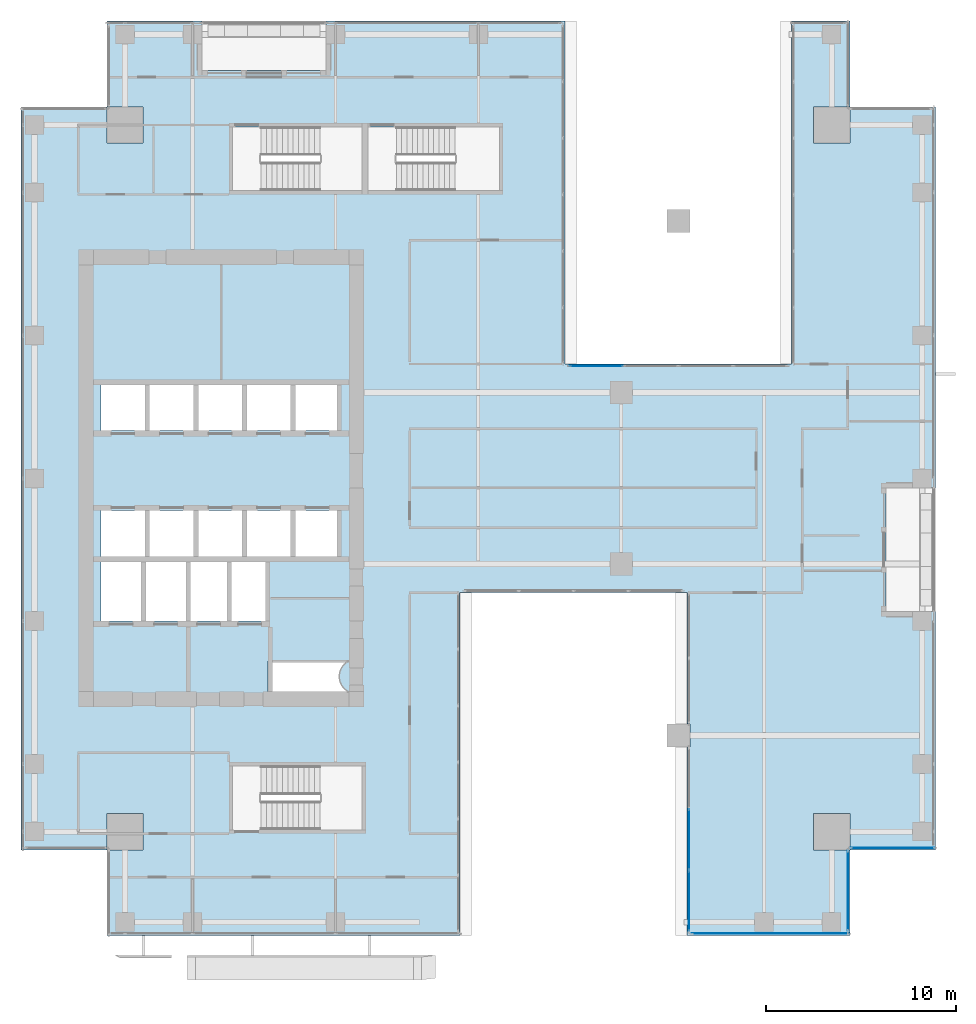
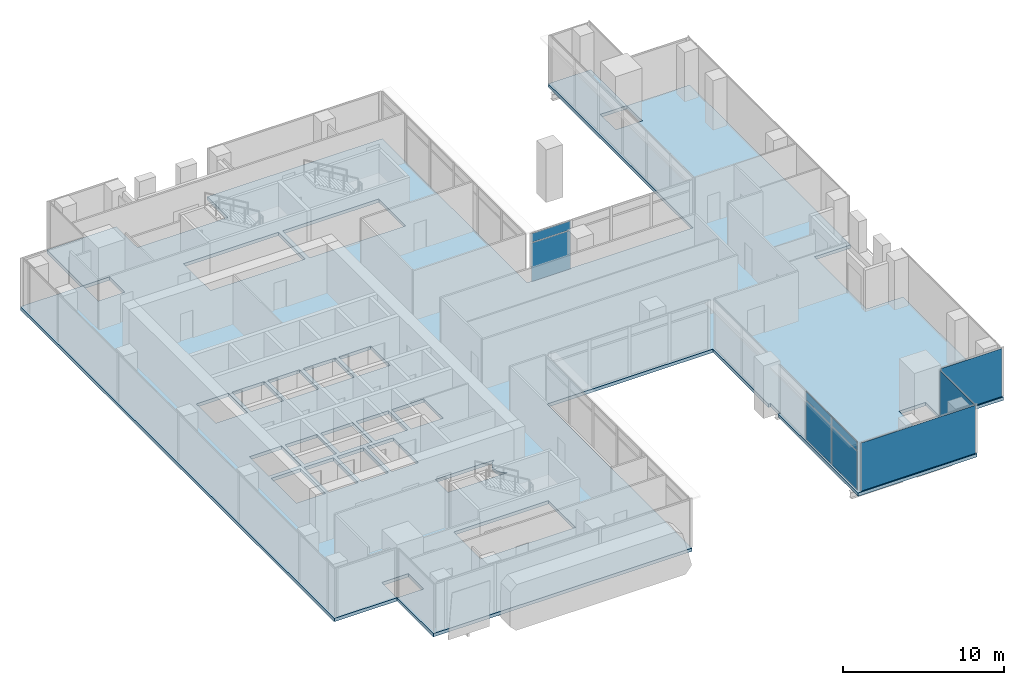
# One storey, part 28 of 37: 9 plates, 1 slab, 5 elements without a shape of their own.
"""IFC4 building model written with IfcOpenShell, lengths in metres."""

from ifc_helpers import new_model, si_unit, direction, frame, origin, origin_2d, place, context, subcontext, project, spatial, polyline, rectangle, outline, extrude, source, transform, mapped, material, layer, layer_set, type_object, element, aggregate, save


model = new_model("IFC4")

# Units and contexts
model_context = context("Model", 3, precision=1e-05, world=origin(), true_north=direction((0.0, 1.0)))
body_context = subcontext(model_context, "Body", "Model", "MODEL_VIEW")
ifc_project = project(units=[si_unit("LENGTHUNIT", "METRE"), si_unit("AREAUNIT", "SQUARE_METRE"), si_unit("VOLUMEUNIT", "CUBIC_METRE"), si_unit("PLANEANGLEUNIT", "RADIAN"), si_unit("MASSUNIT", "GRAM", prefix="KILO")], contexts=[model_context])

# Site, building, storey
site_placement = place(None, origin())
site = spatial("IfcSite", under=ifc_project, at=site_placement, CompositionType="ELEMENT")
building_placement = place(site_placement, origin())
building = spatial("IfcBuilding", under=site, at=building_placement, Name="Khomas Fold Tower", CompositionType="ELEMENT")
storey_placement = place(building_placement, frame((0.0, 0.0, 168.699951171875)))
storey = spatial("IfcBuildingStorey", under=building, at=storey_placement, Name="L36", CompositionType="ELEMENT", Elevation=168.699951171875)

# Slab
ifc_material_1 = material(Name="Concrete C40/50", Category="concrete")
ifc_layer_1 = layer(ifc_material_1, 0.25)
ifc_layer_set_1 = layer_set([ifc_layer_1], Name="Concrete C40/50")
slab_type = type_object("IfcSlabType", Name="RC floor slab 250", PredefinedType="FLOOR", material=ifc_layer_set_1)
shared_shape_1 = source(origin(), body_context, "Body", "SweptSolid", [
    extrude(outline(polyline([(3.0, 7.5), (7.4951171875, 7.5), (7.4951171875, 9.405029296875), (9.405029296875, 9.405029296875), (9.405029296875, 7.4951171875), (7.5, 7.4951171875), (7.5, 3.0), (26.050048828125, 3.0), (26.050048828125, 21.0), (37.949951171875, 21.0), (37.949951171875, 14.10498046875), (38.10498046875, 14.10498046875), (38.10498046875, 12.89501953125), (37.949951171875, 12.89501953125), (37.949951171875, 3.0), (46.5, 3.0), (46.5, 7.4951171875), (44.594970703125, 7.4951171875), (44.594970703125, 9.405029296875), (46.5048828125, 9.405029296875), (46.5048828125, 7.5), (51.0, 7.5), (51.0, 20.0), (48.39990234375, 20.0), (48.39990234375, 26.5), (51.0, 26.5), (51.0, 46.5), (46.5048828125, 46.5), (46.5048828125, 44.594970703125), (44.594970703125, 44.594970703125), (44.594970703125, 46.5048828125), (46.5, 46.5048828125), (46.5, 51.0), (43.449951171875, 51.0), (43.449951171875, 33.0), (31.550048828125, 33.0), (31.550048828125, 51.0), (19.0, 51.0), (19.0, 48.39990234375), (12.5, 48.39990234375), (12.5, 51.0), (7.5, 51.0), (7.5, 46.5048828125), (9.405029296875, 46.5048828125), (9.405029296875, 44.594970703125), (7.4951171875, 44.594970703125), (7.4951171875, 46.5), (3.0, 46.5), (3.0, 7.5)]), holes=[polyline([(7.199951171875, 19.5), (7.199951171875, 22.60009765625), (9.300048828125, 22.60009765625), (9.300048828125, 19.5), (7.199951171875, 19.5)]), polyline([(7.199951171875, 22.89990234375), (7.199951171875, 25.300048828125), (9.5, 25.300048828125), (9.5, 22.89990234375), (7.199951171875, 22.89990234375)]), polyline([(7.199951171875, 29.5), (7.199951171875, 31.89990234375), (9.5, 31.89990234375), (9.5, 29.5), (7.199951171875, 29.5)]), polyline([(9.550048828125, 19.5), (9.550048828125, 22.60009765625), (11.64990234375, 22.60009765625), (11.64990234375, 19.5), (9.550048828125, 19.5)]), polyline([(9.75, 22.89990234375), (9.75, 25.300048828125), (12.050048828125, 25.300048828125), (12.050048828125, 22.89990234375), (9.75, 22.89990234375)]), polyline([(9.75, 29.5), (9.75, 31.89990234375), (12.050048828125, 31.89990234375), (12.050048828125, 29.5), (9.75, 29.5)]), polyline([(11.89990234375, 19.5), (11.89990234375, 22.60009765625), (13.800048828125, 22.60009765625), (13.800048828125, 19.5), (11.89990234375, 19.5)]), polyline([(12.300048828125, 22.89990234375), (12.300048828125, 25.300048828125), (14.60009765625, 25.300048828125), (14.60009765625, 22.89990234375), (12.300048828125, 22.89990234375)]), polyline([(12.300048828125, 29.5), (12.300048828125, 31.89990234375), (14.60009765625, 31.89990234375), (14.60009765625, 29.5), (12.300048828125, 29.5)]), polyline([(14.050048828125, 19.5), (14.050048828125, 22.60009765625), (15.949951171875, 22.60009765625), (15.949951171875, 19.5), (14.050048828125, 19.5)]), polyline([(14.10009765625, 8.550048828125), (14.10009765625, 11.89990234375), (20.89990234375, 11.89990234375), (20.89990234375, 8.550048828125), (14.10009765625, 8.550048828125)]), polyline([(14.10009765625, 42.10009765625), (14.10009765625, 45.449951171875), (20.89990234375, 45.449951171875), (20.89990234375, 42.10009765625), (14.10009765625, 42.10009765625)]), polyline([(14.85009765625, 22.89990234375), (14.85009765625, 25.300048828125), (17.14990234375, 25.300048828125), (17.14990234375, 22.89990234375), (14.85009765625, 22.89990234375)]), polyline([(14.85009765625, 29.5), (14.85009765625, 31.89990234375), (17.14990234375, 31.89990234375), (17.14990234375, 29.5), (14.85009765625, 29.5)]), polyline([(15.949951171875, 15.800048828125), (15.949951171875, 17.39990234375), (20.18896484375, 17.39990234375), (20.17578125, 17.393798828125), (20.10009765625, 17.348388671875), (20.029052734375, 17.295654296875), (19.963623046875, 17.236328125), (19.904296875, 17.1708984375), (19.851806640625, 17.10009765625), (19.806396484375, 17.0244140625), (19.7685546875, 16.9443359375), (19.73876953125, 16.861328125), (19.71728515625, 16.775634765625), (19.704345703125, 16.688232421875), (19.699951171875, 16.60009765625), (19.704345703125, 16.51171875), (19.71728515625, 16.42431640625), (19.73876953125, 16.338623046875), (19.7685546875, 16.255615234375), (19.806396484375, 16.17578125), (19.851806640625, 16.10009765625), (19.904296875, 16.029052734375), (19.963623046875, 15.963623046875), (20.029052734375, 15.904296875), (20.10009765625, 15.851806640625), (20.17578125, 15.806396484375), (20.18896484375, 15.800048828125), (15.949951171875, 15.800048828125)]), polyline([(17.39990234375, 22.89990234375), (17.39990234375, 25.300048828125), (19.699951171875, 25.300048828125), (19.699951171875, 22.89990234375), (17.39990234375, 22.89990234375)]), polyline([(17.39990234375, 29.5), (17.39990234375, 31.89990234375), (19.699951171875, 31.89990234375), (19.699951171875, 29.5), (17.39990234375, 29.5)]), polyline([(21.199951171875, 42.10009765625), (21.199951171875, 45.449951171875), (28.10009765625, 45.449951171875), (28.10009765625, 42.10009765625), (21.199951171875, 42.10009765625)])]), origin(), (0.0, 0.0, 1.0), 0.25),
])
slab_placement = place(storey_placement, frame((0.0, 0.0, -0.25)))
element("IfcSlab", 1, at=slab_placement, inside=storey, type_object=slab_type, Name="S-L36", PredefinedType="FLOOR", context=body_context, shape_type="MappedRepresentation", body=[
    mapped(shared_shape_1, transform((0.0, 0.0, 0.0))),
])

# Curtain wall, plate
ifc_material_2 = material(Name="Aluminium framed double glazing", Category="aluminium")
curtain_wall_type_1 = type_object("IfcCurtainWallType", Name="SK-Unitised clear-glass wall, office floors CW2", PredefinedType="NOTDEFINED", material=ifc_material_2)
curtain_wall_1_placement = place(storey_placement, origin())
curtain_wall_1 = element("IfcCurtainWall", 2, at=curtain_wall_1_placement, inside=storey, type_object=curtain_wall_type_1, Name="CW2 corner return L36 07", PredefinedType="NOTDEFINED")
ifc_material_3 = material(Name="Clear double glazed unit")
ifc_layer_2 = layer(ifc_material_3, 0.030029296875)
ifc_layer_set_2 = layer_set([ifc_layer_2], Name="Clear double glazed unit")
plate_type_1 = type_object("IfcPlateType", Name="SK-Unitised clear-glass wall, office floors glass panel CW2-P", PredefinedType="CURTAIN_PANEL", material=ifc_layer_set_2)
shared_shape_2 = source(origin(), body_context, "Body", "SweptSolid", [
    extrude(rectangle(XDim=4.3798828125, YDim=0.030029296875, at=origin_2d()), origin(), (0.0, 0.0, 1.0), 3.639892578125),
])
plate_1_placement = place(storey_placement, frame((48.75, 7.60009765625, 0.0), z_axis=(0.0, 0.0, 1.0), x_axis=(1.0, 0.0, 0.0)))
plate_1 = element("IfcPlate", 3, at=plate_1_placement, type_object=plate_type_1, Name="CW2 glass panel 1", PredefinedType="CURTAIN_PANEL", context=body_context, shape_type="MappedRepresentation", body=[
    mapped(shared_shape_2, transform((0.0, 0.0, 0.0))),
])
aggregate(curtain_wall_1, [plate_1])

curtain_wall_2_placement = place(storey_placement, origin())
curtain_wall_2 = element("IfcCurtainWall", 4, at=curtain_wall_2_placement, inside=storey, type_object=curtain_wall_type_1, Name="CW2 corner return L36 06", PredefinedType="NOTDEFINED")
shared_shape_3 = source(origin(), body_context, "Body", "SweptSolid", [
    extrude(rectangle(XDim=4.179931640625, YDim=0.030029296875, at=origin_2d()), origin(), (0.0, 0.0, 1.0), 3.639892578125),
])
plate_2_placement = place(storey_placement, frame((46.39990234375, 5.35009765625, 0.0), z_axis=(0.0, 0.0, 1.0), x_axis=(0.0, 1.0, 0.0)))
plate_2 = element("IfcPlate", 5, at=plate_2_placement, type_object=plate_type_1, Name="CW2 glass panel 1", PredefinedType="CURTAIN_PANEL", context=body_context, shape_type="MappedRepresentation", body=[
    mapped(shared_shape_3, transform((0.0, 0.0, 0.0))),
])
aggregate(curtain_wall_2, [plate_2])

curtain_wall_3_placement = place(storey_placement, origin())
curtain_wall_3 = element("IfcCurtainWall", 6, at=curtain_wall_3_placement, inside=storey, type_object=curtain_wall_type_1, Name="CW2 run L36 05-0", PredefinedType="NOTDEFINED")
shared_shape_4 = source(origin(), body_context, "Body", "SweptSolid", [
    extrude(rectangle(XDim=8.22998046875, YDim=0.030029296875, at=origin_2d()), origin(), (0.0, 0.0, 1.0), 3.639892578125),
])
plate_3_placement = place(storey_placement, frame((42.324951171875, 3.10009765625, 0.0), z_axis=(0.0, 0.0, 1.0), x_axis=(1.0, 0.0, 0.0)))
plate_3 = element("IfcPlate", 7, at=plate_3_placement, type_object=plate_type_1, Name="CW2 glass panel 1", PredefinedType="CURTAIN_PANEL", context=body_context, shape_type="MappedRepresentation", body=[
    mapped(shared_shape_4, transform((0.0, 0.0, 0.0))),
])
aggregate(curtain_wall_3, [plate_3])

# Curtain wall, plates
ifc_material_4 = material(Name="Aluminium framed double glazing", Category="aluminium")
curtain_wall_type_2 = type_object("IfcCurtainWallType", Name="Notch glazing GN-CW", PredefinedType="NOTDEFINED", material=ifc_material_4)
curtain_wall_4_placement = place(storey_placement, origin())
curtain_wall_4 = element("IfcCurtainWall", 8, at=curtain_wall_4_placement, inside=storey, type_object=curtain_wall_type_2, Name="Notch glazing run", PredefinedType="NOTDEFINED")
ifc_material_5 = material(Name="Double glazed unit")
ifc_layer_3 = layer(ifc_material_5, 0.031982421875)
ifc_layer_set_3 = layer_set([ifc_layer_3], Name="Double glazed unit")
plate_type_2 = type_object("IfcPlateType", Name="Notch glazing panel GN-CW-P", PredefinedType="CURTAIN_PANEL", material=ifc_layer_set_3)
shared_shape_5 = source(origin(), body_context, "Body", "SweptSolid", [
    extrude(rectangle(XDim=2.784912109375, YDim=0.031982421875, at=origin_2d()), origin(), (0.0, 0.0, 1.0), 2.909912109375),
])
plate_4_placement = place(storey_placement, frame((33.202392578125, 32.89990234375, 0.06005859375), z_axis=(0.0, 0.0, 1.0), x_axis=(-1.0, 0.0, 0.0)))
plate_4 = element("IfcPlate", 9, at=plate_4_placement, type_object=plate_type_2, Name="GN-CW panel 4.1", PredefinedType="CURTAIN_PANEL", context=body_context, shape_type="MappedRepresentation", body=[
    mapped(shared_shape_5, transform((0.0, 0.0, 0.0))),
])
shared_shape_6 = source(origin(), body_context, "Body", "SweptSolid", [
    extrude(rectangle(XDim=2.784912109375, YDim=0.031982421875, at=origin_2d()), origin(), (0.0, 0.0, 1.0), 0.659912109375),
])
plate_5_placement = place(storey_placement, frame((33.202392578125, 32.89990234375, 3.0302734375), z_axis=(0.0, 0.0, 1.0), x_axis=(-1.0, 0.0, 0.0)))
plate_5 = element("IfcPlate", 10, at=plate_5_placement, type_object=plate_type_2, Name="GN-CW panel 4.2", PredefinedType="CURTAIN_PANEL", context=body_context, shape_type="MappedRepresentation", body=[
    mapped(shared_shape_6, transform((0.0, 0.0, 0.0))),
])
aggregate(curtain_wall_4, [plate_4, plate_5])

curtain_wall_5_placement = place(storey_placement, origin())
curtain_wall_5 = element("IfcCurtainWall", 11, at=curtain_wall_5_placement, inside=storey, type_object=curtain_wall_type_2, Name="Notch glazing run", PredefinedType="NOTDEFINED")
shared_shape_7 = source(origin(), body_context, "Body", "SweptSolid", [
    extrude(rectangle(XDim=3.13671875, YDim=0.031982421875, at=origin_2d()), origin(), (0.0, 0.0, 1.0), 2.909912109375),
])
plate_6_placement = place(storey_placement, frame((38.050048828125, 4.828369140625, 0.06005859375), z_axis=(0.0, 0.0, 1.0), x_axis=(0.0, -1.0, 0.0)))
plate_6 = element("IfcPlate", 12, at=plate_6_placement, type_object=plate_type_2, Name="GN-CW panel 3.1", PredefinedType="CURTAIN_PANEL", context=body_context, shape_type="MappedRepresentation", body=[
    mapped(shared_shape_7, transform((0.0, 0.0, 0.0))),
])
shared_shape_8 = source(origin(), body_context, "Body", "SweptSolid", [
    extrude(rectangle(XDim=3.13671875, YDim=0.031982421875, at=origin_2d()), origin(), (0.0, 0.0, 1.0), 0.659912109375),
])
plate_7_placement = place(storey_placement, frame((38.050048828125, 4.828369140625, 3.0302734375), z_axis=(0.0, 0.0, 1.0), x_axis=(0.0, -1.0, 0.0)))
plate_7 = element("IfcPlate", 13, at=plate_7_placement, type_object=plate_type_2, Name="GN-CW panel 3.2", PredefinedType="CURTAIN_PANEL", context=body_context, shape_type="MappedRepresentation", body=[
    mapped(shared_shape_8, transform((0.0, 0.0, 0.0))),
])
shared_shape_9 = source(origin(), body_context, "Body", "SweptSolid", [
    extrude(rectangle(XDim=3.166748046875, YDim=0.031982421875, at=origin_2d()), origin(), (0.0, 0.0, 1.0), 2.909912109375),
])
plate_8_placement = place(storey_placement, frame((38.050048828125, 8.0400390625, 0.06005859375), z_axis=(0.0, 0.0, 1.0), x_axis=(0.0, -1.0, 0.0)))
plate_8 = element("IfcPlate", 14, at=plate_8_placement, type_object=plate_type_2, Name="GN-CW panel 2.1", PredefinedType="CURTAIN_PANEL", context=body_context, shape_type="MappedRepresentation", body=[
    mapped(shared_shape_9, transform((0.0, 0.0, 0.0))),
])
shared_shape_10 = source(origin(), body_context, "Body", "SweptSolid", [
    extrude(rectangle(XDim=3.166748046875, YDim=0.031982421875, at=origin_2d()), origin(), (0.0, 0.0, 1.0), 0.659912109375),
])
plate_9_placement = place(storey_placement, frame((38.050048828125, 8.0400390625, 3.0302734375), z_axis=(0.0, 0.0, 1.0), x_axis=(0.0, -1.0, 0.0)))
plate_9 = element("IfcPlate", 15, at=plate_9_placement, type_object=plate_type_2, Name="GN-CW panel 2.2", PredefinedType="CURTAIN_PANEL", context=body_context, shape_type="MappedRepresentation", body=[
    mapped(shared_shape_10, transform((0.0, 0.0, 0.0))),
])
aggregate(curtain_wall_5, [plate_8, plate_9, plate_6, plate_7])

save(model, "model.ifc")
